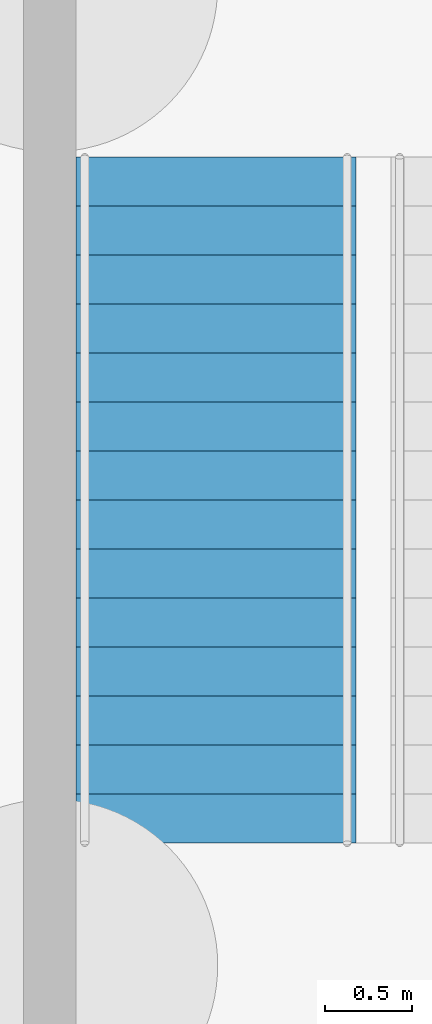
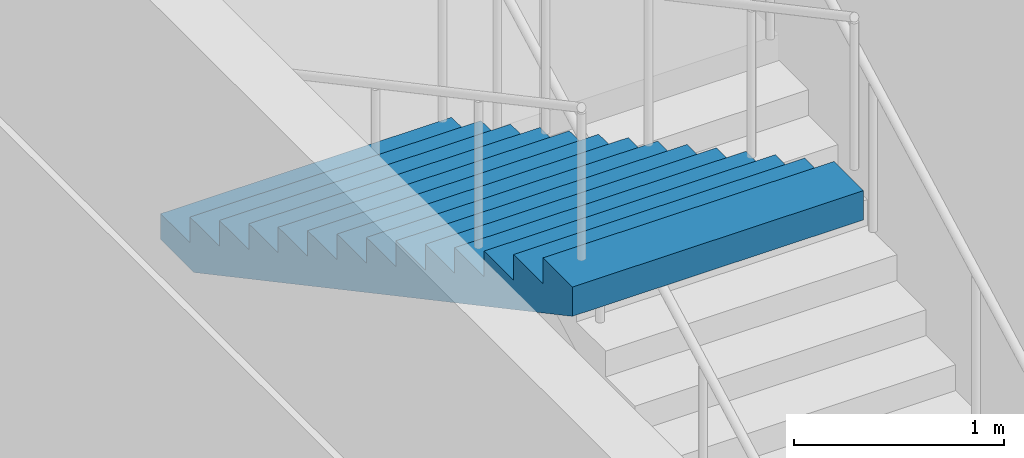
# One storey, part 93 of 113: 1 stair flight, 1 element without a shape of its own.
"""IFC4 building model written with IfcOpenShell, lengths in metres."""

from ifc_helpers import new_model, si_unit, direction, frame, origin, place, context, subcontext, project, spatial, triangles, material, type_object, element, aggregate, save


model = new_model("IFC4")

# Units and contexts
model_context = context("Model", 3, precision=1e-05, world=origin(), true_north=direction((0.0, 1.0)))
body_context = subcontext(model_context, "Body", "Model", "MODEL_VIEW")
ifc_project = project(units=[si_unit("LENGTHUNIT", "METRE"), si_unit("AREAUNIT", "SQUARE_METRE"), si_unit("VOLUMEUNIT", "CUBIC_METRE"), si_unit("PLANEANGLEUNIT", "RADIAN"), si_unit("MASSUNIT", "GRAM", prefix="KILO")], contexts=[model_context])

# Site, building, storey
site_placement = place(None, origin())
site = spatial("IfcSite", under=ifc_project, at=site_placement, CompositionType="ELEMENT")
building_placement = place(site_placement, origin())
building = spatial("IfcBuilding", under=site, at=building_placement, Name="Hakoniwa Tower and Hamabe Station Hall", CompositionType="ELEMENT")
storey_placement = place(building_placement, origin())
storey = spatial("IfcBuildingStorey", under=building, at=storey_placement, Name="L01", CompositionType="ELEMENT", Elevation=0.0)

# Stair, stair flight
ifc_material_1 = material(Name="Concrete C40", Category="concrete")
stair_type = type_object("IfcStairType", Name="STAIR 1600 15X150", PredefinedType="HALF_TURN_STAIR", material=ifc_material_1)
stair_placement = place(storey_placement, origin())
stair = element("IfcStair", 1, at=stair_placement, inside=storey, type_object=stair_type, Name="Escape stair SS1 L01", PredefinedType="HALF_TURN_STAIR")
ifc_material_2 = material(Name="Concrete C40", Category="concrete")
stair_flight_type = type_object("IfcStairFlightType", Name="STAIR FLIGHT 1600", PredefinedType="STRAIGHT", material=ifc_material_2)
stair_flight_placement = place(storey_placement, frame((87.449951171875, 20.820068359375, 6.75), z_axis=(0.0, 0.0, 1.0), x_axis=(0.0, -1.0, 0.0)))
stair_flight = element("IfcStairFlight", 2, at=stair_flight_placement, type_object=stair_flight_type, Name="SS1 flight 4", NumberOfRisers=15, NumberOfTreads=14, PredefinedType="STRAIGHT", RiserHeight=0.15, TreadLength=0.28, context=body_context, shape_type="Tessellation", body=[
    triangles([(0.0, 0.800048828125, 0.0), (0.280029296875, 0.800048828125, 0.0), (0.3173828125, 0.800048828125, 0.0), (0.56005859375, 0.800048828125, 0.1298828125), (0.840087890625, 0.800048828125, 0.280029296875), (1.1201171875, 0.800048828125, 0.429931640625), (1.39990234375, 0.800048828125, 0.579833984375), (1.679931640625, 0.800048828125, 0.72998046875), (1.9599609375, 0.800048828125, 0.8798828125), (2.239990234375, 0.800048828125, 1.030029296875), (2.52001953125, 0.800048828125, 1.179931640625), (2.800048828125, 0.800048828125, 1.329833984375), (3.080078125, 0.800048828125, 1.47998046875), (3.360107421875, 0.800048828125, 1.6298828125), (3.639892578125, 0.800048828125, 1.780029296875), (3.919921875, 0.800048828125, 1.929931640625), (3.919921875, 0.800048828125, 2.10009765625), (3.639892578125, 0.800048828125, 2.10009765625), (3.639892578125, 0.800048828125, 1.949951171875), (3.360107421875, 0.800048828125, 1.949951171875), (3.360107421875, 0.800048828125, 1.800048828125), (3.080078125, 0.800048828125, 1.800048828125), (3.080078125, 0.800048828125, 1.64990234375), (2.800048828125, 0.800048828125, 1.64990234375), (2.800048828125, 0.800048828125, 1.5), (2.52001953125, 0.800048828125, 1.5), (2.52001953125, 0.800048828125, 1.35009765625), (2.239990234375, 0.800048828125, 1.35009765625), (2.239990234375, 0.800048828125, 1.199951171875), (1.9599609375, 0.800048828125, 1.199951171875), (1.9599609375, 0.800048828125, 1.050048828125), (1.679931640625, 0.800048828125, 1.050048828125), (1.679931640625, 0.800048828125, 0.89990234375), (1.39990234375, 0.800048828125, 0.89990234375), (1.39990234375, 0.800048828125, 0.75), (1.1201171875, 0.800048828125, 0.75), (1.1201171875, 0.800048828125, 0.60009765625), (0.840087890625, 0.800048828125, 0.60009765625), (0.840087890625, 0.800048828125, 0.449951171875), (0.56005859375, 0.800048828125, 0.449951171875), (0.56005859375, 0.800048828125, 0.300048828125), (0.3173828125, 0.800048828125, 0.300048828125), (0.280029296875, 0.800048828125, 0.300048828125), (0.280029296875, 0.800048828125, 0.14990234375), (0.0, 0.800048828125, 0.14990234375), (0.0, 0.06005859375, 0.0), (0.280029296875, 0.06005859375, 0.0), (0.3173828125, 0.06005859375, 0.0), (0.56005859375, 0.06005859375, 0.1298828125), (0.840087890625, 0.06005859375, 0.280029296875), (1.1201171875, 0.06005859375, 0.429931640625), (1.39990234375, 0.06005859375, 0.579833984375), (1.679931640625, 0.06005859375, 0.72998046875), (1.9599609375, 0.06005859375, 0.8798828125), (2.239990234375, 0.06005859375, 1.030029296875), (2.52001953125, 0.06005859375, 1.179931640625), (2.800048828125, 0.06005859375, 1.329833984375), (3.080078125, 0.06005859375, 1.47998046875), (3.360107421875, 0.06005859375, 1.6298828125), (3.639892578125, 0.06005859375, 1.780029296875), (3.919921875, 0.06005859375, 1.929931640625), (3.919921875, 0.06005859375, 2.10009765625), (3.639892578125, 0.06005859375, 2.10009765625), (3.639892578125, 0.06005859375, 1.949951171875), (3.360107421875, 0.06005859375, 1.949951171875), (3.360107421875, 0.06005859375, 1.800048828125), (3.080078125, 0.06005859375, 1.800048828125), (3.080078125, 0.06005859375, 1.64990234375), (2.800048828125, 0.06005859375, 1.64990234375), (2.800048828125, 0.06005859375, 1.5), (2.52001953125, 0.06005859375, 1.5), (2.52001953125, 0.06005859375, 1.35009765625), (2.239990234375, 0.06005859375, 1.35009765625), (2.239990234375, 0.06005859375, 1.199951171875), (1.9599609375, 0.06005859375, 1.199951171875), (1.9599609375, 0.06005859375, 1.050048828125), (1.679931640625, 0.06005859375, 1.050048828125), (1.679931640625, 0.06005859375, 0.89990234375), (1.39990234375, 0.06005859375, 0.89990234375), (1.39990234375, 0.06005859375, 0.75), (1.1201171875, 0.06005859375, 0.75), (1.1201171875, 0.06005859375, 0.60009765625), (0.840087890625, 0.06005859375, 0.60009765625), (0.840087890625, 0.06005859375, 0.449951171875), (0.56005859375, 0.06005859375, 0.449951171875), (0.56005859375, 0.06005859375, 0.300048828125), (0.3173828125, 0.06005859375, 0.300048828125), (0.280029296875, 0.06005859375, 0.300048828125), (0.280029296875, 0.06005859375, 0.14990234375), (0.0, 0.06005859375, 0.14990234375), (0.0, 0.02001953125, 0.0), (0.280029296875, 0.02001953125, 0.0), (0.3173828125, 0.02001953125, 0.0), (0.56005859375, 0.02001953125, 0.1298828125), (0.840087890625, 0.02001953125, 0.280029296875), (1.1201171875, 0.02001953125, 0.429931640625), (1.39990234375, 0.02001953125, 0.579833984375), (1.679931640625, 0.02001953125, 0.72998046875), (1.9599609375, 0.02001953125, 0.8798828125), (2.239990234375, 0.02001953125, 1.030029296875), (2.52001953125, 0.02001953125, 1.179931640625), (2.800048828125, 0.02001953125, 1.329833984375), (3.080078125, 0.02001953125, 1.47998046875), (3.360107421875, 0.02001953125, 1.6298828125), (3.639892578125, 0.02001953125, 1.780029296875), (3.919921875, 0.02001953125, 1.929931640625), (3.919921875, 0.02001953125, 2.10009765625), (3.639892578125, 0.02001953125, 2.10009765625), (3.639892578125, 0.02001953125, 1.949951171875), (3.360107421875, 0.02001953125, 1.949951171875), (3.360107421875, 0.02001953125, 1.800048828125), (3.080078125, 0.02001953125, 1.800048828125), (3.080078125, 0.02001953125, 1.64990234375), (2.800048828125, 0.02001953125, 1.64990234375), (2.800048828125, 0.02001953125, 1.5), (2.52001953125, 0.02001953125, 1.5), (2.52001953125, 0.02001953125, 1.35009765625), (2.239990234375, 0.02001953125, 1.35009765625), (2.239990234375, 0.02001953125, 1.199951171875), (1.9599609375, 0.02001953125, 1.199951171875), (1.9599609375, 0.02001953125, 1.050048828125), (1.679931640625, 0.02001953125, 1.050048828125), (1.679931640625, 0.02001953125, 0.89990234375), (1.39990234375, 0.02001953125, 0.89990234375), (1.39990234375, 0.02001953125, 0.75), (1.1201171875, 0.02001953125, 0.75), (1.1201171875, 0.02001953125, 0.60009765625), (0.840087890625, 0.02001953125, 0.60009765625), (0.840087890625, 0.02001953125, 0.449951171875), (0.56005859375, 0.02001953125, 0.449951171875), (0.56005859375, 0.02001953125, 0.300048828125), (0.3173828125, 0.02001953125, 0.300048828125), (0.280029296875, 0.02001953125, 0.300048828125), (0.280029296875, 0.02001953125, 0.14990234375), (0.0, 0.02001953125, 0.14990234375), (0.0, -0.02001953125, 0.0), (0.280029296875, -0.02001953125, 0.0), (0.3173828125, -0.02001953125, 0.0), (0.56005859375, -0.02001953125, 0.1298828125), (0.840087890625, -0.02001953125, 0.280029296875), (1.1201171875, -0.02001953125, 0.429931640625), (1.39990234375, -0.02001953125, 0.579833984375), (1.679931640625, -0.02001953125, 0.72998046875), (1.9599609375, -0.02001953125, 0.8798828125), (2.239990234375, -0.02001953125, 1.030029296875), (2.52001953125, -0.02001953125, 1.179931640625), (2.800048828125, -0.02001953125, 1.329833984375), (3.080078125, -0.02001953125, 1.47998046875), (3.360107421875, -0.02001953125, 1.6298828125), (3.639892578125, -0.02001953125, 1.780029296875), (3.919921875, -0.02001953125, 1.929931640625), (3.919921875, -0.02001953125, 2.10009765625), (3.639892578125, -0.02001953125, 2.10009765625), (3.639892578125, -0.02001953125, 1.949951171875), (3.360107421875, -0.02001953125, 1.949951171875), (3.360107421875, -0.02001953125, 1.800048828125), (3.080078125, -0.02001953125, 1.800048828125), (3.080078125, -0.02001953125, 1.64990234375), (2.800048828125, -0.02001953125, 1.64990234375), (2.800048828125, -0.02001953125, 1.5), (2.52001953125, -0.02001953125, 1.5), (2.52001953125, -0.02001953125, 1.35009765625), (2.239990234375, -0.02001953125, 1.35009765625), (2.239990234375, -0.02001953125, 1.199951171875), (1.9599609375, -0.02001953125, 1.199951171875), (1.9599609375, -0.02001953125, 1.050048828125), (1.679931640625, -0.02001953125, 1.050048828125), (1.679931640625, -0.02001953125, 0.89990234375), (1.39990234375, -0.02001953125, 0.89990234375), (1.39990234375, -0.02001953125, 0.75), (1.1201171875, -0.02001953125, 0.75), (1.1201171875, -0.02001953125, 0.60009765625), (0.840087890625, -0.02001953125, 0.60009765625), (0.840087890625, -0.02001953125, 0.449951171875), (0.56005859375, -0.02001953125, 0.449951171875), (0.56005859375, -0.02001953125, 0.300048828125), (0.3173828125, -0.02001953125, 0.300048828125), (0.280029296875, -0.02001953125, 0.300048828125), (0.280029296875, -0.02001953125, 0.14990234375), (0.0, -0.02001953125, 0.14990234375), (0.0, -0.06005859375, 0.0), (0.280029296875, -0.06005859375, 0.0), (0.3173828125, -0.06005859375, 0.0), (0.56005859375, -0.06005859375, 0.1298828125), (0.840087890625, -0.06005859375, 0.280029296875), (1.1201171875, -0.06005859375, 0.429931640625), (1.39990234375, -0.06005859375, 0.579833984375), (1.679931640625, -0.06005859375, 0.72998046875), (1.9599609375, -0.06005859375, 0.8798828125), (2.239990234375, -0.06005859375, 1.030029296875), (2.52001953125, -0.06005859375, 1.179931640625), (2.800048828125, -0.06005859375, 1.329833984375), (3.080078125, -0.06005859375, 1.47998046875), (3.360107421875, -0.06005859375, 1.6298828125), (3.639892578125, -0.06005859375, 1.780029296875), (3.919921875, -0.06005859375, 1.929931640625), (3.919921875, -0.06005859375, 2.10009765625), (3.639892578125, -0.06005859375, 2.10009765625), (3.639892578125, -0.06005859375, 1.949951171875), (3.360107421875, -0.06005859375, 1.949951171875), (3.360107421875, -0.06005859375, 1.800048828125), (3.080078125, -0.06005859375, 1.800048828125), (3.080078125, -0.06005859375, 1.64990234375), (2.800048828125, -0.06005859375, 1.64990234375), (2.800048828125, -0.06005859375, 1.5), (2.52001953125, -0.06005859375, 1.5), (2.52001953125, -0.06005859375, 1.35009765625), (2.239990234375, -0.06005859375, 1.35009765625), (2.239990234375, -0.06005859375, 1.199951171875), (1.9599609375, -0.06005859375, 1.199951171875), (1.9599609375, -0.06005859375, 1.050048828125), (1.679931640625, -0.06005859375, 1.050048828125), (1.679931640625, -0.06005859375, 0.89990234375), (1.39990234375, -0.06005859375, 0.89990234375), (1.39990234375, -0.06005859375, 0.75), (1.1201171875, -0.06005859375, 0.75), (1.1201171875, -0.06005859375, 0.60009765625), (0.840087890625, -0.06005859375, 0.60009765625), (0.840087890625, -0.06005859375, 0.449951171875), (0.56005859375, -0.06005859375, 0.449951171875), (0.56005859375, -0.06005859375, 0.300048828125), (0.3173828125, -0.06005859375, 0.300048828125), (0.280029296875, -0.06005859375, 0.300048828125), (0.280029296875, -0.06005859375, 0.14990234375), (0.0, -0.06005859375, 0.14990234375), (0.0, -0.800048828125, 0.0), (0.280029296875, -0.800048828125, 0.0), (0.3173828125, -0.800048828125, 0.0), (0.56005859375, -0.800048828125, 0.1298828125), (0.840087890625, -0.800048828125, 0.280029296875), (1.1201171875, -0.800048828125, 0.429931640625), (1.39990234375, -0.800048828125, 0.579833984375), (1.679931640625, -0.800048828125, 0.72998046875), (1.9599609375, -0.800048828125, 0.8798828125), (2.239990234375, -0.800048828125, 1.030029296875), (2.52001953125, -0.800048828125, 1.179931640625), (2.800048828125, -0.800048828125, 1.329833984375), (3.080078125, -0.800048828125, 1.47998046875), (3.360107421875, -0.800048828125, 1.6298828125), (3.639892578125, -0.800048828125, 1.780029296875), (3.919921875, -0.800048828125, 1.929931640625), (3.919921875, -0.800048828125, 2.10009765625), (3.639892578125, -0.800048828125, 2.10009765625), (3.639892578125, -0.800048828125, 1.949951171875), (3.360107421875, -0.800048828125, 1.949951171875), (3.360107421875, -0.800048828125, 1.800048828125), (3.080078125, -0.800048828125, 1.800048828125), (3.080078125, -0.800048828125, 1.64990234375), (2.800048828125, -0.800048828125, 1.64990234375), (2.800048828125, -0.800048828125, 1.5), (2.52001953125, -0.800048828125, 1.5), (2.52001953125, -0.800048828125, 1.35009765625), (2.239990234375, -0.800048828125, 1.35009765625), (2.239990234375, -0.800048828125, 1.199951171875), (1.9599609375, -0.800048828125, 1.199951171875), (1.9599609375, -0.800048828125, 1.050048828125), (1.679931640625, -0.800048828125, 1.050048828125), (1.679931640625, -0.800048828125, 0.89990234375), (1.39990234375, -0.800048828125, 0.89990234375), (1.39990234375, -0.800048828125, 0.75), (1.1201171875, -0.800048828125, 0.75), (1.1201171875, -0.800048828125, 0.60009765625), (0.840087890625, -0.800048828125, 0.60009765625), (0.840087890625, -0.800048828125, 0.449951171875), (0.56005859375, -0.800048828125, 0.449951171875), (0.56005859375, -0.800048828125, 0.300048828125), (0.3173828125, -0.800048828125, 0.300048828125), (0.280029296875, -0.800048828125, 0.300048828125), (0.280029296875, -0.800048828125, 0.14990234375), (0.0, -0.800048828125, 0.14990234375)], [[2, 45, 44], [227, 269, 270], [2, 1, 45], [227, 270, 226], [3, 43, 42], [228, 267, 268], [3, 44, 43], [228, 268, 269], [3, 2, 44], [228, 269, 227], [4, 42, 41], [229, 266, 267], [4, 3, 42], [229, 267, 228], [5, 40, 39], [230, 264, 265], [5, 41, 40], [230, 265, 266], [5, 4, 41], [230, 266, 229], [6, 38, 37], [231, 262, 263], [6, 39, 38], [231, 263, 264], [6, 5, 39], [231, 264, 230], [7, 36, 35], [232, 260, 261], [7, 37, 36], [232, 261, 262], [7, 6, 37], [232, 262, 231], [8, 34, 33], [233, 258, 259], [8, 35, 34], [233, 259, 260], [8, 7, 35], [233, 260, 232], [9, 32, 31], [234, 256, 257], [9, 33, 32], [234, 257, 258], [9, 8, 33], [234, 258, 233], [10, 30, 29], [235, 254, 255], [10, 31, 30], [235, 255, 256], [10, 9, 31], [235, 256, 234], [11, 28, 27], [236, 252, 253], [11, 29, 28], [236, 253, 254], [11, 10, 29], [236, 254, 235], [12, 26, 25], [237, 250, 251], [12, 27, 26], [237, 251, 252], [12, 11, 27], [237, 252, 236], [13, 24, 23], [238, 248, 249], [13, 25, 24], [238, 249, 250], [13, 12, 25], [238, 250, 237], [14, 22, 21], [239, 246, 247], [14, 23, 22], [239, 247, 248], [14, 13, 23], [239, 248, 238], [15, 20, 19], [240, 244, 245], [15, 21, 20], [240, 245, 246], [15, 14, 21], [240, 246, 239], [16, 18, 17], [241, 242, 243], [16, 19, 18], [241, 243, 244], [16, 15, 19], [241, 244, 240], [1, 2, 47], [1, 47, 46], [46, 47, 92], [46, 92, 91], [91, 92, 137], [91, 137, 136], [136, 137, 182], [136, 182, 181], [181, 182, 227], [181, 227, 226], [2, 3, 48], [2, 48, 47], [47, 48, 93], [47, 93, 92], [92, 93, 138], [92, 138, 137], [137, 138, 183], [137, 183, 182], [182, 183, 228], [182, 228, 227], [3, 4, 49], [3, 49, 48], [48, 49, 94], [48, 94, 93], [93, 94, 139], [93, 139, 138], [138, 139, 184], [138, 184, 183], [183, 184, 229], [183, 229, 228], [4, 5, 50], [4, 50, 49], [49, 50, 95], [49, 95, 94], [94, 95, 140], [94, 140, 139], [139, 140, 185], [139, 185, 184], [184, 185, 230], [184, 230, 229], [5, 6, 51], [5, 51, 50], [50, 51, 96], [50, 96, 95], [95, 96, 141], [95, 141, 140], [140, 141, 186], [140, 186, 185], [185, 186, 231], [185, 231, 230], [6, 7, 52], [6, 52, 51], [51, 52, 97], [51, 97, 96], [96, 97, 142], [96, 142, 141], [141, 142, 187], [141, 187, 186], [186, 187, 232], [186, 232, 231], [7, 8, 53], [7, 53, 52], [52, 53, 98], [52, 98, 97], [97, 98, 143], [97, 143, 142], [142, 143, 188], [142, 188, 187], [187, 188, 233], [187, 233, 232], [8, 9, 54], [8, 54, 53], [53, 54, 99], [53, 99, 98], [98, 99, 144], [98, 144, 143], [143, 144, 189], [143, 189, 188], [188, 189, 234], [188, 234, 233], [9, 10, 55], [9, 55, 54], [54, 55, 100], [54, 100, 99], [99, 100, 145], [99, 145, 144], [144, 145, 190], [144, 190, 189], [189, 190, 235], [189, 235, 234], [10, 11, 56], [10, 56, 55], [55, 56, 101], [55, 101, 100], [100, 101, 146], [100, 146, 145], [145, 146, 191], [145, 191, 190], [190, 191, 236], [190, 236, 235], [11, 12, 57], [11, 57, 56], [56, 57, 102], [56, 102, 101], [101, 102, 147], [101, 147, 146], [146, 147, 192], [146, 192, 191], [191, 192, 237], [191, 237, 236], [12, 13, 58], [12, 58, 57], [57, 58, 103], [57, 103, 102], [102, 103, 148], [102, 148, 147], [147, 148, 193], [147, 193, 192], [192, 193, 238], [192, 238, 237], [13, 14, 59], [13, 59, 58], [58, 59, 104], [58, 104, 103], [103, 104, 149], [103, 149, 148], [148, 149, 194], [148, 194, 193], [193, 194, 239], [193, 239, 238], [14, 15, 60], [14, 60, 59], [59, 60, 105], [59, 105, 104], [104, 105, 150], [104, 150, 149], [149, 150, 195], [149, 195, 194], [194, 195, 240], [194, 240, 239], [15, 16, 61], [15, 61, 60], [60, 61, 106], [60, 106, 105], [105, 106, 151], [105, 151, 150], [150, 151, 196], [150, 196, 195], [195, 196, 241], [195, 241, 240], [16, 17, 62], [16, 62, 61], [61, 62, 107], [61, 107, 106], [106, 107, 152], [106, 152, 151], [151, 152, 197], [151, 197, 196], [196, 197, 242], [196, 242, 241], [17, 18, 63], [17, 63, 62], [62, 63, 108], [62, 108, 107], [107, 108, 153], [107, 153, 152], [152, 153, 198], [152, 198, 197], [197, 198, 243], [197, 243, 242], [18, 19, 64], [18, 64, 63], [63, 64, 109], [63, 109, 108], [108, 109, 154], [108, 154, 153], [153, 154, 199], [153, 199, 198], [198, 199, 244], [198, 244, 243], [19, 20, 65], [19, 65, 64], [64, 65, 110], [64, 110, 109], [109, 110, 155], [109, 155, 154], [154, 155, 200], [154, 200, 199], [199, 200, 245], [199, 245, 244], [20, 21, 66], [20, 66, 65], [65, 66, 111], [65, 111, 110], [110, 111, 156], [110, 156, 155], [155, 156, 201], [155, 201, 200], [200, 201, 246], [200, 246, 245], [21, 22, 67], [21, 67, 66], [66, 67, 112], [66, 112, 111], [111, 112, 157], [111, 157, 156], [156, 157, 202], [156, 202, 201], [201, 202, 247], [201, 247, 246], [22, 23, 68], [22, 68, 67], [67, 68, 113], [67, 113, 112], [112, 113, 158], [112, 158, 157], [157, 158, 203], [157, 203, 202], [202, 203, 248], [202, 248, 247], [23, 24, 69], [23, 69, 68], [68, 69, 114], [68, 114, 113], [113, 114, 159], [113, 159, 158], [158, 159, 204], [158, 204, 203], [203, 204, 249], [203, 249, 248], [24, 25, 70], [24, 70, 69], [69, 70, 115], [69, 115, 114], [114, 115, 160], [114, 160, 159], [159, 160, 205], [159, 205, 204], [204, 205, 250], [204, 250, 249], [25, 26, 71], [25, 71, 70], [70, 71, 116], [70, 116, 115], [115, 116, 161], [115, 161, 160], [160, 161, 206], [160, 206, 205], [205, 206, 251], [205, 251, 250], [26, 27, 72], [26, 72, 71], [71, 72, 117], [71, 117, 116], [116, 117, 162], [116, 162, 161], [161, 162, 207], [161, 207, 206], [206, 207, 252], [206, 252, 251], [27, 28, 73], [27, 73, 72], [72, 73, 118], [72, 118, 117], [117, 118, 163], [117, 163, 162], [162, 163, 208], [162, 208, 207], [207, 208, 253], [207, 253, 252], [28, 29, 74], [28, 74, 73], [73, 74, 119], [73, 119, 118], [118, 119, 164], [118, 164, 163], [163, 164, 209], [163, 209, 208], [208, 209, 254], [208, 254, 253], [29, 30, 75], [29, 75, 74], [74, 75, 120], [74, 120, 119], [119, 120, 165], [119, 165, 164], [164, 165, 210], [164, 210, 209], [209, 210, 255], [209, 255, 254], [30, 31, 76], [30, 76, 75], [75, 76, 121], [75, 121, 120], [120, 121, 166], [120, 166, 165], [165, 166, 211], [165, 211, 210], [210, 211, 256], [210, 256, 255], [31, 32, 77], [31, 77, 76], [76, 77, 122], [76, 122, 121], [121, 122, 167], [121, 167, 166], [166, 167, 212], [166, 212, 211], [211, 212, 257], [211, 257, 256], [32, 33, 78], [32, 78, 77], [77, 78, 123], [77, 123, 122], [122, 123, 168], [122, 168, 167], [167, 168, 213], [167, 213, 212], [212, 213, 258], [212, 258, 257], [33, 34, 79], [33, 79, 78], [78, 79, 124], [78, 124, 123], [123, 124, 169], [123, 169, 168], [168, 169, 214], [168, 214, 213], [213, 214, 259], [213, 259, 258], [34, 35, 80], [34, 80, 79], [79, 80, 125], [79, 125, 124], [124, 125, 170], [124, 170, 169], [169, 170, 215], [169, 215, 214], [214, 215, 260], [214, 260, 259], [35, 36, 81], [35, 81, 80], [80, 81, 126], [80, 126, 125], [125, 126, 171], [125, 171, 170], [170, 171, 216], [170, 216, 215], [215, 216, 261], [215, 261, 260], [36, 37, 82], [36, 82, 81], [81, 82, 127], [81, 127, 126], [126, 127, 172], [126, 172, 171], [171, 172, 217], [171, 217, 216], [216, 217, 262], [216, 262, 261], [37, 38, 83], [37, 83, 82], [82, 83, 128], [82, 128, 127], [127, 128, 173], [127, 173, 172], [172, 173, 218], [172, 218, 217], [217, 218, 263], [217, 263, 262], [38, 39, 84], [38, 84, 83], [83, 84, 129], [83, 129, 128], [128, 129, 174], [128, 174, 173], [173, 174, 219], [173, 219, 218], [218, 219, 264], [218, 264, 263], [39, 40, 85], [39, 85, 84], [84, 85, 130], [84, 130, 129], [129, 130, 175], [129, 175, 174], [174, 175, 220], [174, 220, 219], [219, 220, 265], [219, 265, 264], [40, 41, 86], [40, 86, 85], [85, 86, 131], [85, 131, 130], [130, 131, 176], [130, 176, 175], [175, 176, 221], [175, 221, 220], [220, 221, 266], [220, 266, 265], [41, 42, 87], [41, 87, 86], [86, 87, 132], [86, 132, 131], [131, 132, 177], [131, 177, 176], [176, 177, 222], [176, 222, 221], [221, 222, 267], [221, 267, 266], [42, 43, 88], [42, 88, 87], [87, 88, 133], [87, 133, 132], [132, 133, 178], [132, 178, 177], [177, 178, 223], [177, 223, 222], [222, 223, 268], [222, 268, 267], [43, 44, 89], [43, 89, 88], [88, 89, 134], [88, 134, 133], [133, 134, 179], [133, 179, 178], [178, 179, 224], [178, 224, 223], [223, 224, 269], [223, 269, 268], [44, 45, 90], [44, 90, 89], [89, 90, 135], [89, 135, 134], [134, 135, 180], [134, 180, 179], [179, 180, 225], [179, 225, 224], [224, 225, 270], [224, 270, 269], [45, 1, 46], [45, 46, 90], [90, 46, 91], [90, 91, 135], [135, 91, 136], [135, 136, 180], [180, 136, 181], [180, 181, 225], [225, 181, 226], [225, 226, 270]], closed=True),
])
aggregate(stair, [stair_flight])

save(model, "model.ifc")
